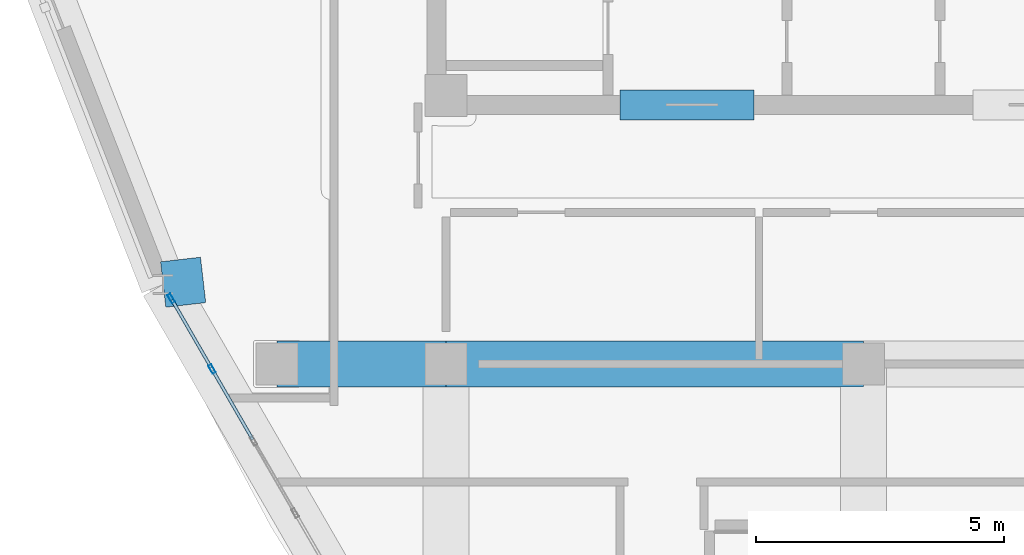
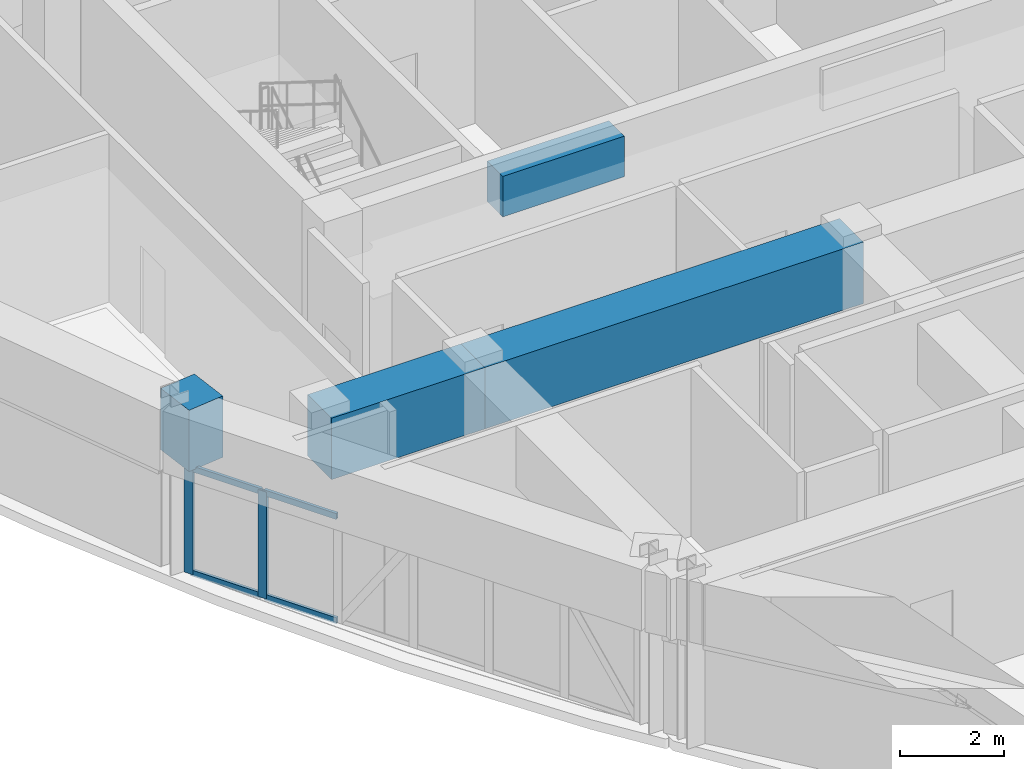
# One storey, part 5 of 16: 6 members, 4 beams, 1 element without a shape of its own.
"""IFC4 building model written with IfcOpenShell, lengths in metres."""

from ifc_helpers import new_model, si_unit, derived_unit, direction, frame, origin, origin_2d, place, context, subcontext, project, spatial, rectangle, hollow_rectangle, extrude, source, transform, mapped, material, layer, layer_set, material_profile, profile_set, type_object, element, aggregate, save


model = new_model("IFC4")

# Units and contexts
model_context = context("Model", 3, precision=1e-05, world=origin(), true_north=direction((0.0, 1.0)))
body_context = subcontext(model_context, "Body", "Model", "MODEL_VIEW")
ifc_project = project(units=[si_unit("LENGTHUNIT", "METRE"), si_unit("AREAUNIT", "SQUARE_METRE"), si_unit("VOLUMEUNIT", "CUBIC_METRE"), si_unit("PLANEANGLEUNIT", "RADIAN"), si_unit("MASSUNIT", "GRAM", prefix="KILO"), derived_unit("THERMALTRANSMITTANCEUNIT", [(si_unit("POWERUNIT", "WATT"), 1), (si_unit("LENGTHUNIT", "METRE"), -2), (si_unit("THERMODYNAMICTEMPERATUREUNIT", "KELVIN"), -1)])], contexts=[model_context])

# Site, building, storey
site_placement = place(None, origin())
site = spatial("IfcSite", under=ifc_project, at=site_placement, CompositionType="ELEMENT")
building_placement = place(site_placement, origin())
building = spatial("IfcBuilding", under=site, at=building_placement, Name="Korsvarv Bourse and Concert Hall", CompositionType="ELEMENT")
storey_placement = place(building_placement, frame((0.0, 0.0, 288.0)))
storey = spatial("IfcBuildingStorey", under=building, at=storey_placement, Name="L75", CompositionType="ELEMENT", Elevation=288.0)

# Beams
ifc_material_1 = material(Name="Concrete C55/67", Category="concrete")
ifc_material_profile_1 = material_profile(ifc_material_1, rectangle(XDim=0.60009765625, YDim=0.949951171875, at=origin_2d()), Name="RC-BM 600x950")
ifc_profile_set_1 = profile_set([ifc_material_profile_1], Name="Concrete C55/67")
beam_type_1 = type_object("IfcBeamType", Name="BM-CPL", PredefinedType="LINTEL", material=ifc_profile_set_1)
shared_shape_1 = source(origin(), body_context, "Body", "SweptSolid", [
    extrude(rectangle(XDim=0.60009765625, YDim=0.949951171875, at=origin_2d()), origin(), (0.0, 0.0, 1.0), 2.699951171875),
])
beam_1_placement = place(storey_placement, frame((31.10009765625, 37.610107421875, 3.47509765625), z_axis=(1.0, 0.0, 0.0), x_axis=(0.0, 1.0, 0.0)))
element("IfcBeam", 1, at=beam_1_placement, inside=storey, type_object=beam_type_1, Name="L75 Core Coupling Beam West", PredefinedType="LINTEL", context=body_context, shape_type="MappedRepresentation", body=[
    mapped(shared_shape_1, transform((0.0, 0.0, 0.0), scale=1.0)),
])
ifc_material_2 = material(Name="Concrete C50/60", Category="concrete")
ifc_material_profile_2 = material_profile(ifc_material_2, rectangle(XDim=0.919921875, YDim=1.43994140625, at=origin_2d()), Name="RC-BM 920x1440")
ifc_profile_set_2 = profile_set([ifc_material_profile_2], Name="Concrete C50/60")
beam_type_2 = type_object("IfcBeamType", Name="BM-TR-144", PredefinedType="BEAM", material=ifc_profile_set_2)
shared_shape_2 = source(origin(), body_context, "Body", "SweptSolid", [
    extrude(rectangle(XDim=0.919921875, YDim=1.43994140625, at=origin_2d()), origin(), (0.0, 0.0, 1.0), 3.400146484375),
])
beam_2_placement = place(storey_placement, frame((24.199951171875, 32.39990234375, 3.22998046875), z_axis=(1.0, 0.0, 0.0), x_axis=(0.0, 1.0, 0.0)))
element("IfcBeam", 2, at=beam_2_placement, inside=storey, type_object=beam_type_2, Name="L75 beam B-TR4", PredefinedType="BEAM", context=body_context, shape_type="MappedRepresentation", body=[
    mapped(shared_shape_2, transform((0.0, 0.0, 0.0), scale=1.0)),
])
shared_shape_3 = source(origin(), body_context, "Body", "SweptSolid", [
    extrude(rectangle(XDim=0.919921875, YDim=1.43994140625, at=origin_2d()), origin(), (0.0, 0.0, 1.0), 8.39990234375),
])
beam_3_placement = place(storey_placement, frame((27.60009765625, 32.39990234375, 3.22998046875), z_axis=(1.0, 0.0, 0.0), x_axis=(0.0, 1.0, 0.0)))
element("IfcBeam", 3, at=beam_3_placement, inside=storey, type_object=beam_type_2, Name="L75 beam B-TR4", PredefinedType="BEAM", context=body_context, shape_type="MappedRepresentation", body=[
    mapped(shared_shape_3, transform((0.0, 0.0, 0.0), scale=1.0)),
])
shared_shape_4 = source(origin(), body_context, "Body", "SweptSolid", [
    extrude(rectangle(XDim=0.919921875, YDim=1.43994140625, at=origin_2d()), origin(), (0.0, 0.0, 1.0), 0.80859375),
])
beam_4_placement = place(storey_placement, frame((21.909912109375, 33.996826171875, 3.22998046875), z_axis=(0.993395705436, 0.114738713698, 0.0), x_axis=(-0.114738713698, 0.993395705436, 0.0)))
element("IfcBeam", 4, at=beam_4_placement, inside=storey, type_object=beam_type_2, Name="L75 beam B-TR4", PredefinedType="BEAM", context=body_context, shape_type="MappedRepresentation", body=[
    mapped(shared_shape_4, transform((0.0, 0.0, 0.0), scale=1.0)),
])

# Curtain wall, members
ifc_material_3 = material(Name="Anodised aluminium and triple low-E glazing", Category="glass")
ifc_layer = layer(ifc_material_3, 0.18994140625)
ifc_layer_set = layer_set([ifc_layer], Name="Anodised aluminium and triple low-E glazing")
curtain_wall_type = type_object("IfcCurtainWallType", Name="CW-SYS-4", PredefinedType="NOTDEFINED", material=ifc_layer_set)
curtain_wall_placement = place(storey_placement, origin())
curtain_wall = element("IfcCurtainWall", 5, at=curtain_wall_placement, inside=storey, type_object=curtain_wall_type, Name="L75 CW4 curtain wall CW-L75-F07", PredefinedType="NOTDEFINED")
ifc_material_4 = material(Name="Extruded aluminium EN AW-6063 T66", Category="aluminium")
ifc_material_profile_3 = material_profile(ifc_material_4, hollow_rectangle(XDim=0.070068359375, YDim=0.18994140625, WallThickness=0.0048828125, at=origin_2d()), Name="ALU-M 70x190")
ifc_profile_set_3 = profile_set([ifc_material_profile_3], Name="Extruded aluminium EN AW-6063 T66")
member_type_1 = type_object("IfcMemberType", Name="CWM-190", PredefinedType="MULLION", material=ifc_profile_set_3)
shared_shape_5 = source(origin(), body_context, "Body", "SweptSolid", [
    extrude(hollow_rectangle(XDim=0.070068359375, YDim=0.18994140625, WallThickness=0.0048828125, at=origin_2d()), origin(), (0.0, 0.0, 1.0), 2.510009765625),
])
member_1_placement = place(storey_placement, frame((22.0712890625, 33.717041015625, 0.0), z_axis=(0.0, 0.0, 1.0), x_axis=(0.866022776267, 0.500004550967, 0.0)))
member_1 = element("IfcMember", 6, at=member_1_placement, type_object=member_type_1, Name="CW4 mullion 1", PredefinedType="MULLION", context=body_context, shape_type="MappedRepresentation", body=[
    mapped(shared_shape_5, transform((0.0, 0.0, 0.0), scale=1.0)),
])
member_2_placement = place(storey_placement, frame((22.890869140625, 32.297607421875, 0.0), z_axis=(0.0, 0.0, 1.0), x_axis=(0.866022776267, 0.500004550967, 0.0)))
member_2 = element("IfcMember", 7, at=member_2_placement, type_object=member_type_1, Name="CW4 mullion 2", PredefinedType="MULLION", context=body_context, shape_type="MappedRepresentation", body=[
    mapped(shared_shape_5, transform((0.0, 0.0, 0.0), scale=1.0)),
])
ifc_material_profile_4 = material_profile(ifc_material_4, hollow_rectangle(XDim=0.06494140625, YDim=0.139892578125, WallThickness=0.00390625, at=origin_2d()), Name="ALU-T 65x140")
ifc_profile_set_4 = profile_set([ifc_material_profile_4], Name="Extruded aluminium EN AW-6063 T66")
member_type_2 = type_object("IfcMemberType", Name="CWT-140", PredefinedType="USERDEFINED", material=ifc_profile_set_4)
shared_shape_6 = source(origin(), body_context, "Body", "SweptSolid", [
    extrude(hollow_rectangle(XDim=0.06494140625, YDim=0.139892578125, WallThickness=0.00390625, at=origin_2d()), origin(), (0.0, 0.0, 1.0), 1.569091796875),
])
member_3_placement = place(storey_placement, frame((22.0888671875, 33.686767578125, 0.032470703125), z_axis=(0.5000546567, -0.865993845424, 0.0), x_axis=(0.865993845424, 0.5000546567, 0.0)))
member_3 = element("IfcMember", 8, at=member_3_placement, type_object=member_type_2, Name="CW4 transom 1.1", ObjectType="TRANSOM", PredefinedType="USERDEFINED", context=body_context, shape_type="MappedRepresentation", body=[
    mapped(shared_shape_6, transform((0.0, 0.0, 0.0), scale=1.0)),
])
member_4_placement = place(storey_placement, frame((22.0888671875, 33.686767578125, 2.4775390625), z_axis=(0.5000546567, -0.865993845424, 0.0), x_axis=(0.865993845424, 0.5000546567, 0.0)))
member_4 = element("IfcMember", 9, at=member_4_placement, type_object=member_type_2, Name="CW4 transom 1.2", ObjectType="TRANSOM", PredefinedType="USERDEFINED", context=body_context, shape_type="MappedRepresentation", body=[
    mapped(shared_shape_6, transform((0.0, 0.0, 0.0), scale=1.0)),
])
shared_shape_7 = source(origin(), body_context, "Body", "SweptSolid", [
    extrude(hollow_rectangle(XDim=0.06494140625, YDim=0.139892578125, WallThickness=0.00390625, at=origin_2d()), origin(), (0.0, 0.0, 1.0), 1.60400390625),
])
member_5_placement = place(storey_placement, frame((22.908447265625, 32.267333984375, 0.032470703125), z_axis=(0.499985955615, -0.866033512162, 0.0), x_axis=(0.866033512162, 0.499985955615, 0.0)))
member_5 = element("IfcMember", 10, at=member_5_placement, type_object=member_type_2, Name="CW4 transom 2.1", ObjectType="TRANSOM", PredefinedType="USERDEFINED", context=body_context, shape_type="MappedRepresentation", body=[
    mapped(shared_shape_7, transform((0.0, 0.0, 0.0), scale=1.0)),
])
member_6_placement = place(storey_placement, frame((22.908447265625, 32.267333984375, 2.4775390625), z_axis=(0.499985955615, -0.866033512162, 0.0), x_axis=(0.866033512162, 0.499985955615, 0.0)))
member_6 = element("IfcMember", 11, at=member_6_placement, type_object=member_type_2, Name="CW4 transom 2.2", ObjectType="TRANSOM", PredefinedType="USERDEFINED", context=body_context, shape_type="MappedRepresentation", body=[
    mapped(shared_shape_7, transform((0.0, 0.0, 0.0), scale=1.0)),
])
aggregate(curtain_wall, [member_1, member_2, member_3, member_4, member_5, member_6])

save(model, "model.ifc")
